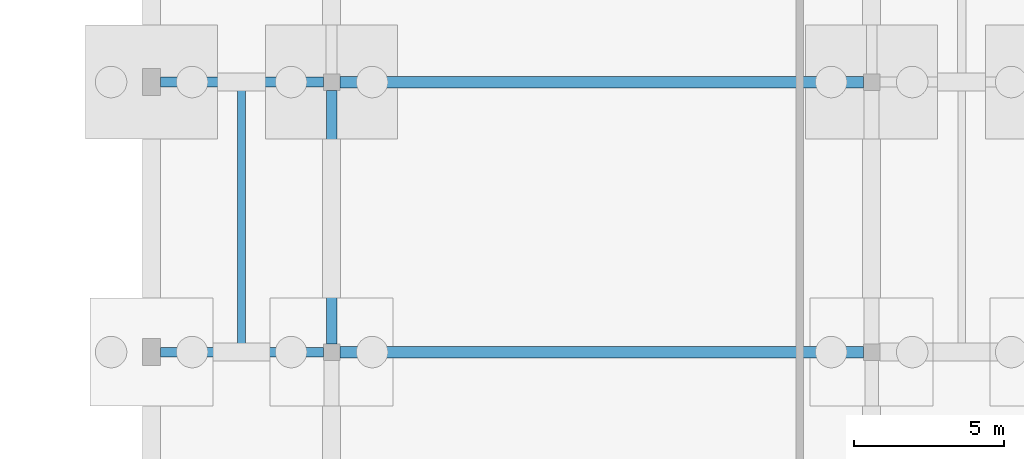
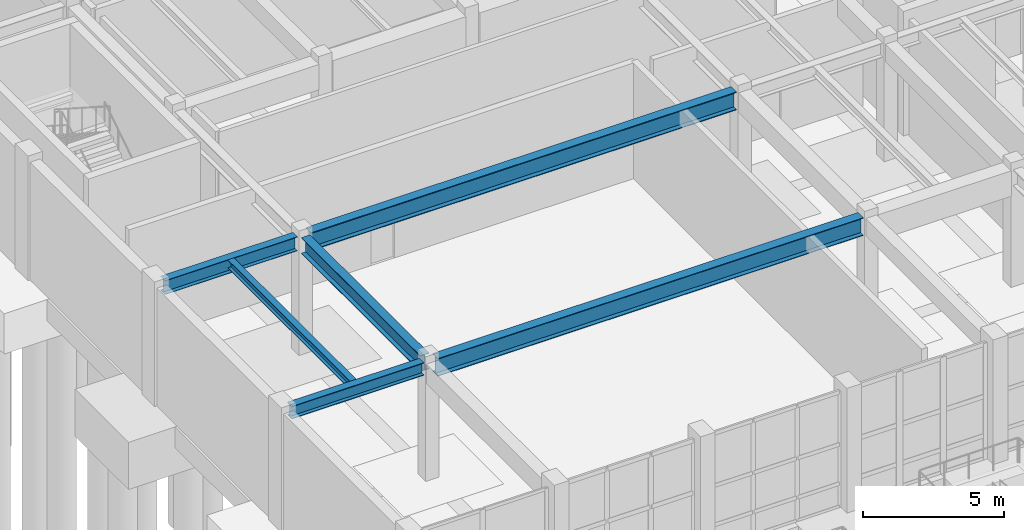
# One storey, part 23 of 69: 6 beams.
"""IFC4 building model written with IfcOpenShell, lengths in metres."""

from ifc_helpers import new_model, si_unit, direction, frame, origin, origin_2d, place, context, subcontext, project, spatial, i_section, extrude, material, material_profile, profile_set, type_object, element, save


model = new_model("IFC4")

# Units and contexts
model_context = context("Model", 3, precision=1e-05, world=origin(), true_north=direction((0.0, 1.0)))
body_context = subcontext(model_context, "Body", "Model", "MODEL_VIEW")
ifc_project = project(units=[si_unit("LENGTHUNIT", "METRE"), si_unit("AREAUNIT", "SQUARE_METRE"), si_unit("VOLUMEUNIT", "CUBIC_METRE"), si_unit("PLANEANGLEUNIT", "RADIAN"), si_unit("MASSUNIT", "GRAM", prefix="KILO")], contexts=[model_context])

# Site, building, storey
site_placement = place(None, origin())
site = spatial("IfcSite", under=ifc_project, at=site_placement, CompositionType="ELEMENT")
building_placement = place(site_placement, origin())
building = spatial("IfcBuilding", under=site, at=building_placement, Name="Vaelkrest Opera House", CompositionType="ELEMENT")
storey_placement = place(building_placement, frame((0.0, 0.0, -5.39990234375)))
storey = spatial("IfcBuildingStorey", under=building, at=storey_placement, Name="B1", CompositionType="ELEMENT", Elevation=-5.39990234375)

# Beams
ifc_material = material(Name="Steel A992 Gr50", Category="steel")
ifc_material_profile_1 = material_profile(ifc_material, i_section(OverallWidth=0.323974609375, OverallDepth=0.611083984375, WebThickness=0.0126953125, FlangeThickness=0.01904296875, at=origin_2d()), Name="W24X104")
ifc_profile_set_1 = profile_set([ifc_material_profile_1], Name="Steel A992 Gr50")
beam_type_1 = type_object("IfcBeamType", Name="B08", PredefinedType="BEAM", material=ifc_profile_set_1)
beam_1_placement = place(storey_placement, frame((-75.300048828125, 1.199951171875, 4.7744140625), z_axis=(1.0, 0.0, 0.0), x_axis=(0.0, 1.0, 0.0)))
element("IfcBeam", 1, at=beam_1_placement, inside=storey, type_object=beam_type_1, Name="Beam BM-V3-B1-1289", PredefinedType="BEAM", context=body_context, shape_type="SweptSolid", body=[
    extrude(i_section(OverallWidth=0.323974609375, OverallDepth=0.611083984375, WebThickness=0.0126953125, FlangeThickness=0.01904296875, at=origin_2d()), origin(), (0.0, 0.0, 1.0), 5.425048828125),
])
ifc_material_profile_2 = material_profile(ifc_material, i_section(OverallWidth=0.35498046875, OverallDepth=0.695068359375, WebThickness=0.015380859375, FlangeThickness=0.02490234375, at=origin_2d()), Name="W27X146")
ifc_profile_set_2 = profile_set([ifc_material_profile_2], Name="Steel A992 Gr50")
beam_type_2 = type_object("IfcBeamType", Name="B10", PredefinedType="BEAM", material=ifc_profile_set_2)
beam_2_placement = place(storey_placement, frame((-69.60009765625, -7.52490234375, 4.732421875), z_axis=(0.0, 1.0, 0.0), x_axis=(-1.0, 0.0, 0.0)))
element("IfcBeam", 2, at=beam_2_placement, inside=storey, type_object=beam_type_2, Name="Beam BM-V3-B1-1321", PredefinedType="BEAM", context=body_context, shape_type="SweptSolid", body=[
    extrude(i_section(OverallWidth=0.35498046875, OverallDepth=0.695068359375, WebThickness=0.015380859375, FlangeThickness=0.02490234375, at=origin_2d()), origin(), (0.0, 0.0, 1.0), 8.449951171875),
])
ifc_material_profile_3 = material_profile(ifc_material, i_section(OverallWidth=0.381103515625, OverallDepth=0.77294921875, WebThickness=0.0166015625, FlangeThickness=0.027099609375, at=origin_2d()), Name="W30X173")
ifc_profile_set_3 = profile_set([ifc_material_profile_3], Name="Steel A992 Gr50")
beam_type_3 = type_object("IfcBeamType", Name="B11", PredefinedType="BEAM", material=ifc_profile_set_3)
beam_3_placement = place(storey_placement, frame((-69.324951171875, -7.800048828125, 4.693359375), z_axis=(1.0, 0.0, 0.0), x_axis=(0.0, 1.0, 0.0)))
element("IfcBeam", 3, at=beam_3_placement, inside=storey, type_object=beam_type_3, Name="Beam BM-V3-B1-1285", PredefinedType="BEAM", context=body_context, shape_type="SweptSolid", body=[
    extrude(i_section(OverallWidth=0.381103515625, OverallDepth=0.77294921875, WebThickness=0.0166015625, FlangeThickness=0.027099609375, at=origin_2d()), origin(), (0.0, 0.0, 1.0), 17.449951171875),
])
ifc_material_profile_4 = material_profile(ifc_material, i_section(OverallWidth=0.384033203125, OverallDepth=0.785888671875, WebThickness=0.019775390625, FlangeThickness=0.033447265625, at=origin_2d()), Name="W30X211")
ifc_profile_set_4 = profile_set([ifc_material_profile_4], Name="Steel A992 Gr50")
beam_type_4 = type_object("IfcBeamType", Name="B16", PredefinedType="BEAM", material=ifc_profile_set_4)
beam_4_placement = place(storey_placement, frame((-69.324951171875, 1.199951171875, 4.68701171875), z_axis=(1.0, 0.0, 0.0), x_axis=(0.0, 1.0, 0.0)))
element("IfcBeam", 4, at=beam_4_placement, inside=storey, type_object=beam_type_4, Name="Beam BM-V3-B1-1290", PredefinedType="BEAM", context=body_context, shape_type="SweptSolid", body=[
    extrude(i_section(OverallWidth=0.384033203125, OverallDepth=0.785888671875, WebThickness=0.019775390625, FlangeThickness=0.033447265625, at=origin_2d()), origin(), (0.0, 0.0, 1.0), 17.449951171875),
])
ifc_material_profile_5 = material_profile(ifc_material, i_section(OverallWidth=0.31494140625, OverallDepth=0.551025390625, WebThickness=0.01513671875, FlangeThickness=0.0244140625, at=origin_2d()), Name="W21X122")
ifc_profile_set_5 = profile_set([ifc_material_profile_5], Name="Steel A992 Gr50")
beam_type_5 = type_object("IfcBeamType", Name="B20", PredefinedType="BEAM", material=ifc_profile_set_5)
beam_5_placement = place(storey_placement, frame((-75.300048828125, -7.800048828125, 4.804443359375), z_axis=(1.0, 0.0, 0.0), x_axis=(0.0, 1.0, 0.0)))
element("IfcBeam", 5, at=beam_5_placement, inside=storey, type_object=beam_type_5, Name="Beam BM-V3-B1-1284", PredefinedType="BEAM", context=body_context, shape_type="SweptSolid", body=[
    extrude(i_section(OverallWidth=0.31494140625, OverallDepth=0.551025390625, WebThickness=0.01513671875, FlangeThickness=0.0244140625, at=origin_2d()), origin(), (0.0, 0.0, 1.0), 5.425048828125),
])
ifc_material_profile_6 = material_profile(ifc_material, i_section(OverallWidth=0.257080078125, OverallDepth=0.363037109375, WebThickness=0.012939453125, FlangeThickness=0.021728515625, at=origin_2d()), Name="W14X82")
ifc_profile_set_6 = profile_set([ifc_material_profile_6], Name="Steel A992 Gr50")
beam_type_6 = type_object("IfcBeamType", Name="J06", PredefinedType="JOIST", material=ifc_profile_set_6)
beam_6_placement = place(storey_placement, frame((-72.60009765625, -7.642578125, 4.8984375), z_axis=(0.0, 1.0, 0.0), x_axis=(-1.0, 0.0, 0.0)))
element("IfcBeam", 6, at=beam_6_placement, inside=storey, type_object=beam_type_6, Name="Floor joist JST-V3-B1-1356", PredefinedType="JOIST", context=body_context, shape_type="SweptSolid", body=[
    extrude(i_section(OverallWidth=0.257080078125, OverallDepth=0.363037109375, WebThickness=0.012939453125, FlangeThickness=0.021728515625, at=origin_2d()), origin(), (0.0, 0.0, 1.0), 8.6806640625),
])

save(model, "model.ifc")
